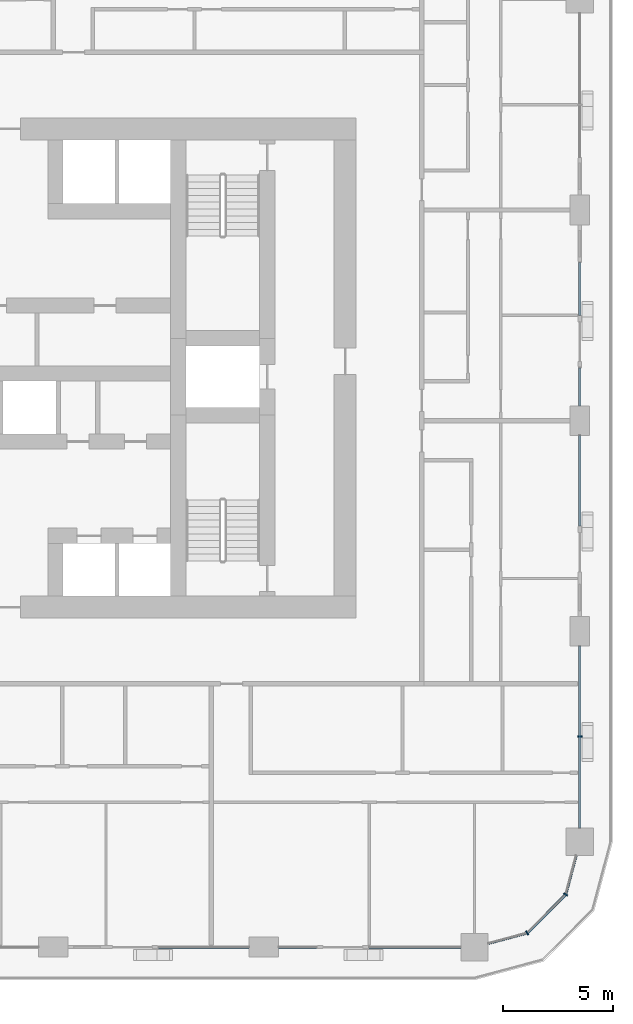
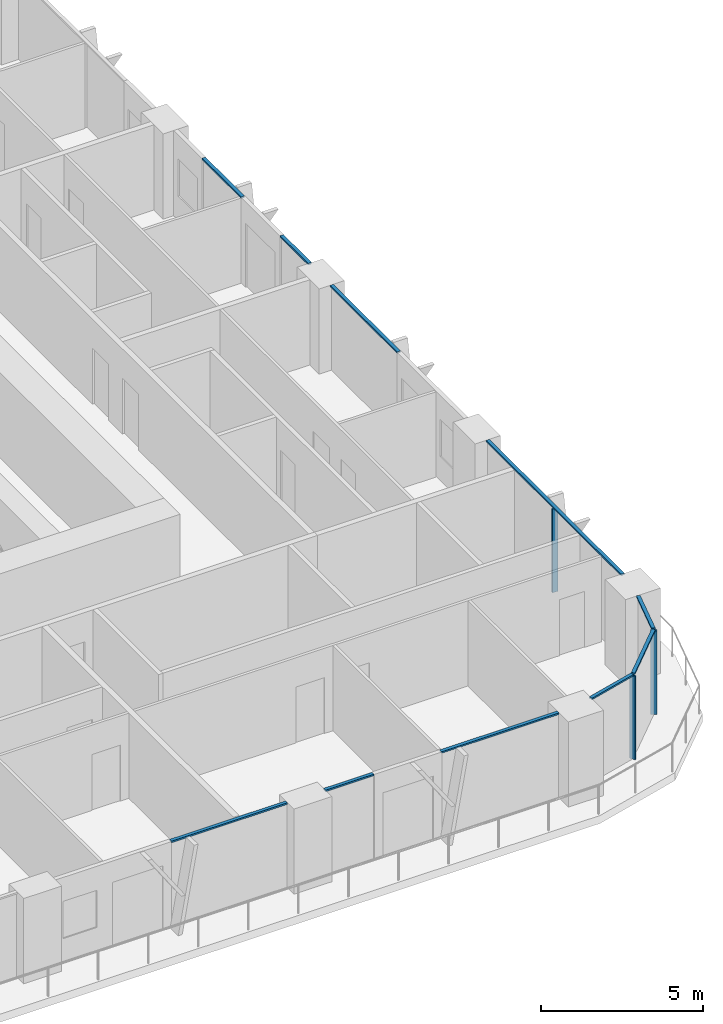
# One storey, part 4 of 21: 13 members, 6 elements without a shape of their own.
"""IFC4 building model written with IfcOpenShell, lengths in metres."""

from ifc_helpers import new_model, si_unit, direction, frame, origin, origin_2d, place, context, subcontext, project, spatial, rectangle, extrude, material, layer, layer_set, material_profile, profile_set, type_object, element, aggregate, save


model = new_model("IFC4")

# Units and contexts
model_context = context("Model", 3, precision=1e-05, world=origin(), true_north=direction((0.0, 1.0)))
body_context = subcontext(model_context, "Body", "Model", "MODEL_VIEW")
ifc_project = project(units=[si_unit("LENGTHUNIT", "METRE"), si_unit("AREAUNIT", "SQUARE_METRE"), si_unit("VOLUMEUNIT", "CUBIC_METRE"), si_unit("PLANEANGLEUNIT", "RADIAN"), si_unit("MASSUNIT", "GRAM", prefix="KILO")], contexts=[model_context])

# Site, building, storey
site_placement = place(None, origin())
site = spatial("IfcSite", under=ifc_project, at=site_placement, CompositionType="ELEMENT")
building_placement = place(site_placement, origin())
building = spatial("IfcBuilding", under=site, at=building_placement, Name="Madar Terraces", CompositionType="ELEMENT")
storey_placement = place(building_placement, frame((0.0, 0.0, 43.39990234375)))
storey = spatial("IfcBuildingStorey", under=building, at=storey_placement, Name="L10", CompositionType="ELEMENT", Elevation=43.39990234375)

# Curtain wall, member
ifc_material_1 = material(Name="Glass, ceramic frit dark grey, with black aluminium frame", Category="aluminium")
ifc_layer = layer(ifc_material_1, 0.199951171875)
ifc_layer_set = layer_set([ifc_layer], Name="Facade curtain wall, fritted glass")
curtain_wall_type = type_object("IfcCurtainWallType", Name="Facade curtain wall, fritted glass", PredefinedType="NOTDEFINED", material=ifc_layer_set)
curtain_wall_1_placement = place(storey_placement, origin())
curtain_wall_1 = element("IfcCurtainWall", 1, at=curtain_wall_1_placement, inside=storey, type_object=curtain_wall_type, Name="Outer skin curtain wall east bay 1", PredefinedType="NOTDEFINED")
ifc_material_2 = material(Name="Aluminium, black anodised", Category="aluminium")
ifc_material_profile_1 = material_profile(ifc_material_2, rectangle(XDim=0.199951171875, YDim=0.06005859375, at=origin_2d()), Name="Facade mullion 60x200")
ifc_profile_set_1 = profile_set([ifc_material_profile_1], Name="Aluminium, black anodised")
member_type_1 = type_object("IfcMemberType", Name="Facade mullion 60x200", PredefinedType="MULLION", material=ifc_profile_set_1)
member_1_placement = place(storey_placement, frame((57.60009765625, 9.60009765625, 0.0), z_axis=(0.0, 0.0, 1.0), x_axis=(-1.0, 0.0, 0.0)))
member_1 = element("IfcMember", 2, at=member_1_placement, type_object=member_type_1, Name="Mullion 1", PredefinedType="MULLION", context=body_context, shape_type="SweptSolid", body=[
    extrude(rectangle(XDim=0.199951171875, YDim=0.06005859375, at=origin_2d()), origin(), (0.0, 0.0, 1.0), 3.14013671875),
])

# Curtain wall, members
curtain_wall_2_placement = place(storey_placement, origin())
curtain_wall_2 = element("IfcCurtainWall", 3, at=curtain_wall_2_placement, inside=storey, type_object=curtain_wall_type, Name="Outer skin curtain wall south-east corner", PredefinedType="NOTDEFINED")
member_2_placement = place(storey_placement, frame((55.199951171875, 0.64306640625, 0.0), z_axis=(0.0, 0.0, 1.0), x_axis=(-0.499999989586, 0.866025409797, 0.0)))
member_2 = element("IfcMember", 4, at=member_2_placement, type_object=member_type_1, Name="Mullion 1", PredefinedType="MULLION", context=body_context, shape_type="SweptSolid", body=[
    extrude(rectangle(XDim=0.199951171875, YDim=0.06005859375, at=origin_2d()), origin(), (0.0, 0.0, 1.0), 3.14013671875),
])
member_3_placement = place(storey_placement, frame((56.95703125, 2.39990234375, 0.0), z_axis=(0.0, 0.0, 1.0), x_axis=(-0.866025409797, 0.499999989586, 0.0)))
member_3 = element("IfcMember", 5, at=member_3_placement, type_object=member_type_1, Name="Mullion 2", PredefinedType="MULLION", context=body_context, shape_type="SweptSolid", body=[
    extrude(rectangle(XDim=0.199951171875, YDim=0.06005859375, at=origin_2d()), origin(), (0.0, 0.0, 1.0), 3.14013671875),
])

# Curtain wall, member
curtain_wall_3_placement = place(storey_placement, origin())
curtain_wall_3 = element("IfcCurtainWall", 6, at=curtain_wall_3_placement, inside=storey, type_object=curtain_wall_type, Name="Outer skin curtain wall south bay 4", PredefinedType="NOTDEFINED")
ifc_material_3 = material(Name="Aluminium, black anodised", Category="aluminium")
ifc_material_profile_2 = material_profile(ifc_material_3, rectangle(XDim=0.1201171875, YDim=0.06005859375, at=origin_2d()), Name="Facade transom 60x120")
ifc_profile_set_2 = profile_set([ifc_material_profile_2], Name="Aluminium, black anodised")
member_type_2 = type_object("IfcMemberType", Name="Facade transom 60x120", PredefinedType="USERDEFINED", material=ifc_profile_set_2)
member_4_placement = place(storey_placement, frame((38.39990234375, 0.0, 3.170166015625), z_axis=(1.0, 0.0, 0.0), x_axis=(0.0, 1.0, 0.0)))
member_4 = element("IfcMember", 7, at=member_4_placement, type_object=member_type_2, Name="Transom 1", ObjectType="TRANSOM", PredefinedType="USERDEFINED", context=body_context, shape_type="SweptSolid", body=[
    extrude(rectangle(XDim=0.1201171875, YDim=0.06005859375, at=origin_2d()), origin(), (0.0, 0.0, 1.0), 4.125),
])
aggregate(curtain_wall_3, [member_4])

# Curtain wall, members
curtain_wall_4_placement = place(storey_placement, origin())
curtain_wall_4 = element("IfcCurtainWall", 8, at=curtain_wall_4_placement, inside=storey, type_object=curtain_wall_type, Name="Outer skin curtain wall south bay 5", PredefinedType="NOTDEFINED")
member_5_placement = place(storey_placement, frame((43.875, 0.0, 3.170166015625), z_axis=(1.0, 0.0, 0.0), x_axis=(0.0, 1.0, 0.0)))
member_5 = element("IfcMember", 9, at=member_5_placement, type_object=member_type_2, Name="Transom 1", ObjectType="TRANSOM", PredefinedType="USERDEFINED", context=body_context, shape_type="SweptSolid", body=[
    extrude(rectangle(XDim=0.1201171875, YDim=0.06005859375, at=origin_2d()), origin(), (0.0, 0.0, 1.0), 1.72509765625),
])
member_6_placement = place(storey_placement, frame((48.0, 0.0, 3.170166015625), z_axis=(1.0, 0.0, 0.0), x_axis=(0.0, 1.0, 0.0)))
member_6 = element("IfcMember", 10, at=member_6_placement, type_object=member_type_2, Name="Transom 2", ObjectType="TRANSOM", PredefinedType="USERDEFINED", context=body_context, shape_type="SweptSolid", body=[
    extrude(rectangle(XDim=0.1201171875, YDim=0.06005859375, at=origin_2d()), origin(), (0.0, 0.0, 1.0), 4.175048828125),
])
aggregate(curtain_wall_4, [member_5, member_6])

# Member
member_7_placement = place(storey_placement, frame((57.60009765625, 5.425048828125, 3.170166015625), z_axis=(0.0, 1.0, 0.0), x_axis=(-1.0, 0.0, 0.0)))
member_7 = element("IfcMember", 11, at=member_7_placement, type_object=member_type_2, Name="Transom 1", ObjectType="TRANSOM", PredefinedType="USERDEFINED", context=body_context, shape_type="SweptSolid", body=[
    extrude(rectangle(XDim=0.1201171875, YDim=0.06005859375, at=origin_2d()), origin(), (0.0, 0.0, 1.0), 8.300048828125),
])

aggregate(curtain_wall_1, [member_1, member_7])

# Curtain wall, member
curtain_wall_5_placement = place(storey_placement, origin())
curtain_wall_5 = element("IfcCurtainWall", 12, at=curtain_wall_5_placement, inside=storey, type_object=curtain_wall_type, Name="Outer skin curtain wall east bay 2", PredefinedType="NOTDEFINED")
member_8_placement = place(storey_placement, frame((57.60009765625, 19.199951171875, 3.170166015625), z_axis=(0.0, 1.0, 0.0), x_axis=(-1.0, 0.0, 0.0)))
member_8 = element("IfcMember", 13, at=member_8_placement, type_object=member_type_2, Name="Transom 1", ObjectType="TRANSOM", PredefinedType="USERDEFINED", context=body_context, shape_type="SweptSolid", body=[
    extrude(rectangle(XDim=0.1201171875, YDim=0.06005859375, at=origin_2d()), origin(), (0.0, 0.0, 1.0), 4.125),
])
aggregate(curtain_wall_5, [member_8])

# Curtain wall, members
curtain_wall_6_placement = place(storey_placement, origin())
curtain_wall_6 = element("IfcCurtainWall", 14, at=curtain_wall_6_placement, inside=storey, type_object=curtain_wall_type, Name="Outer skin curtain wall east bay 3", PredefinedType="NOTDEFINED")
member_9_placement = place(storey_placement, frame((57.60009765625, 24.675048828125, 3.170166015625), z_axis=(0.0, 1.0, 0.0), x_axis=(-1.0, 0.0, 0.0)))
member_9 = element("IfcMember", 15, at=member_9_placement, type_object=member_type_2, Name="Transom 1", ObjectType="TRANSOM", PredefinedType="USERDEFINED", context=body_context, shape_type="SweptSolid", body=[
    extrude(rectangle(XDim=0.1201171875, YDim=0.06005859375, at=origin_2d()), origin(), (0.0, 0.0, 1.0), 1.724853515625),
])
member_10_placement = place(storey_placement, frame((57.60009765625, 28.800048828125, 3.170166015625), z_axis=(0.0, 1.0, 0.0), x_axis=(-1.0, 0.0, 0.0)))
member_10 = element("IfcMember", 16, at=member_10_placement, type_object=member_type_2, Name="Transom 2", ObjectType="TRANSOM", PredefinedType="USERDEFINED", context=body_context, shape_type="SweptSolid", body=[
    extrude(rectangle(XDim=0.1201171875, YDim=0.06005859375, at=origin_2d()), origin(), (0.0, 0.0, 1.0), 2.39990234375),
])
aggregate(curtain_wall_6, [member_9, member_10])

# Member
member_11_placement = place(storey_placement, frame((53.425048828125, 0.16748046875, 3.170166015625), z_axis=(0.965938406667, 0.258772089929, 0.0), x_axis=(-0.258772089929, 0.965938406667, 0.0)))
member_11 = element("IfcMember", 17, at=member_11_placement, type_object=member_type_2, Name="Transom 1", ObjectType="TRANSOM", PredefinedType="USERDEFINED", context=body_context, shape_type="SweptSolid", body=[
    extrude(rectangle(XDim=0.1201171875, YDim=0.06005859375, at=origin_2d()), origin(), (0.0, 0.0, 1.0), 1.8076171875),
])

member_12_placement = place(storey_placement, frame((55.22119140625, 0.664306640625, 3.170166015625), z_axis=(0.707106781187, 0.707106781187, 0.0), x_axis=(-0.707106781187, 0.707106781187, 0.0)))
member_12 = element("IfcMember", 18, at=member_12_placement, type_object=member_type_2, Name="Transom 2", ObjectType="TRANSOM", PredefinedType="USERDEFINED", context=body_context, shape_type="SweptSolid", body=[
    extrude(rectangle(XDim=0.1201171875, YDim=0.06005859375, at=origin_2d()), origin(), (0.0, 0.0, 1.0), 2.4248046875),
])

member_13_placement = place(storey_placement, frame((56.964599609375, 2.428955078125, 3.170166015625), z_axis=(0.258898097903, 0.965904640688, 0.0), x_axis=(-0.965904640688, 0.258898097903, 0.0)))
member_13 = element("IfcMember", 19, at=member_13_placement, type_object=member_type_2, Name="Transom 3", ObjectType="TRANSOM", PredefinedType="USERDEFINED", context=body_context, shape_type="SweptSolid", body=[
    extrude(rectangle(XDim=0.1201171875, YDim=0.06005859375, at=origin_2d()), origin(), (0.0, 0.0, 1.0), 1.8076171875),
])

aggregate(curtain_wall_2, [member_2, member_11, member_3, member_12, member_13])

save(model, "model.ifc")
